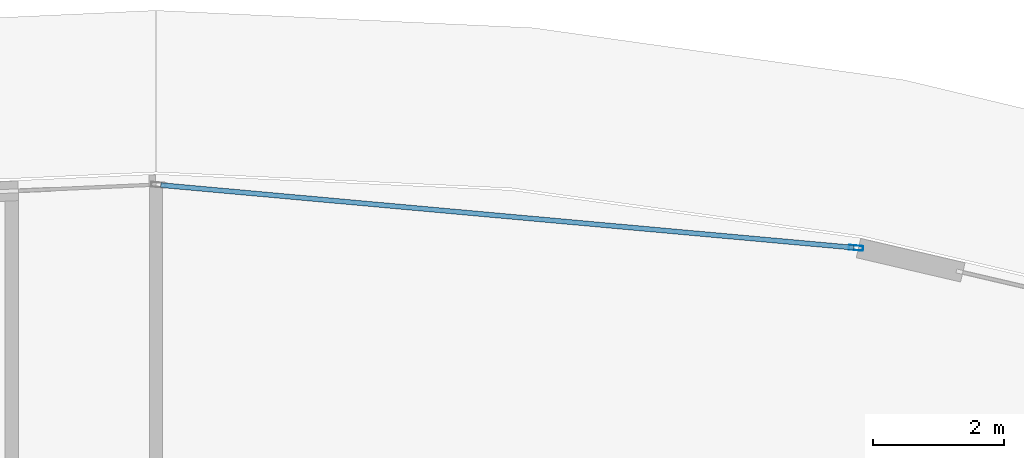
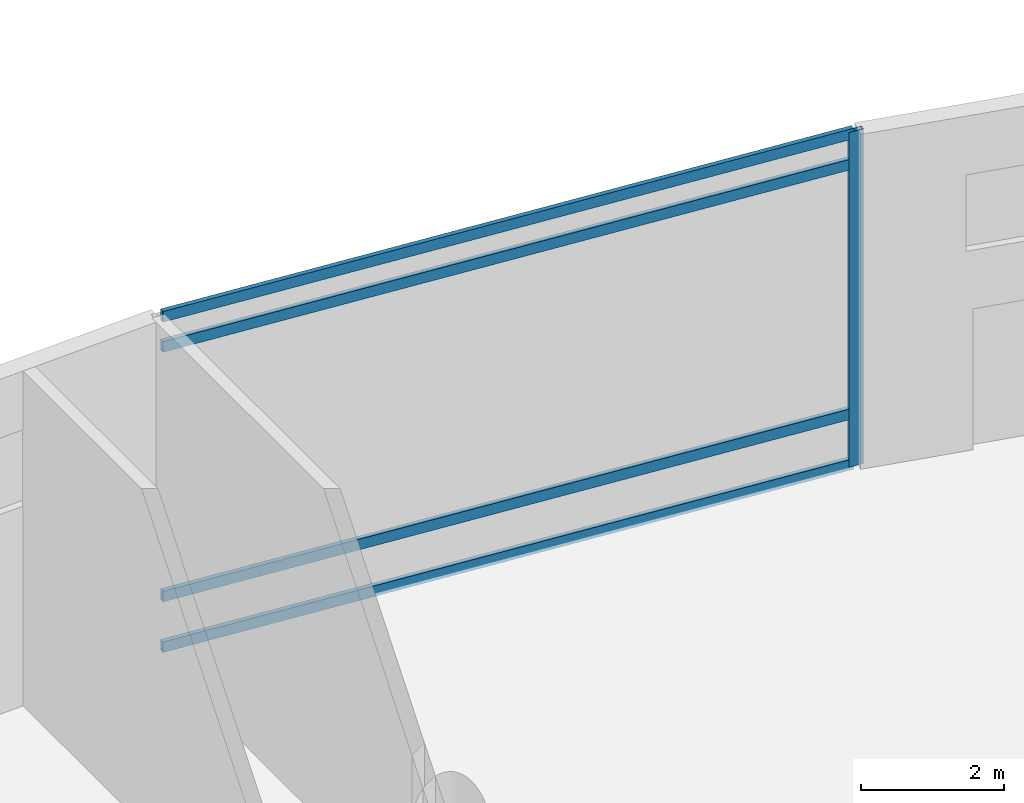
# One storey, part 21 of 40: 5 members, 1 element without a shape of its own.
"""IFC4 building model written with IfcOpenShell, lengths in metres."""

from ifc_helpers import new_model, si_unit, direction, frame, origin, origin_2d, place, context, subcontext, project, spatial, hollow_rectangle, extrude, material, layer, layer_set, material_profile, profile_set, type_object, element, aggregate, save


model = new_model("IFC4")

# Units and contexts
model_context = context("Model", 3, precision=1e-05, world=origin(), true_north=direction((0.0, 1.0)))
body_context = subcontext(model_context, "Body", "Model", "MODEL_VIEW")
ifc_project = project(units=[si_unit("LENGTHUNIT", "METRE"), si_unit("AREAUNIT", "SQUARE_METRE"), si_unit("VOLUMEUNIT", "CUBIC_METRE"), si_unit("PLANEANGLEUNIT", "RADIAN"), si_unit("MASSUNIT", "GRAM", prefix="KILO")], contexts=[model_context])

# Site, building, storey
site_placement = place(None, origin())
site = spatial("IfcSite", under=ifc_project, at=site_placement, CompositionType="ELEMENT")
building_placement = place(site_placement, origin())
building = spatial("IfcBuilding", under=site, at=building_placement, Name="Nuhasar Tower", CompositionType="ELEMENT")
storey_placement = place(building_placement, origin())
storey = spatial("IfcBuildingStorey", under=building, at=storey_placement, Name="L00", CompositionType="ELEMENT", Elevation=0.0)

# Curtain wall, members
ifc_material = material(Name="Aluminium 6063-T6", Category="aluminium")
ifc_layer = layer(ifc_material, 0.219970703125)
ifc_layer_set = layer_set([ifc_layer], Name="Aluminium 6063-T6")
curtain_wall_type = type_object("IfcCurtainWallType", Name="CW-PODIUM", PredefinedType="NOTDEFINED", material=ifc_layer_set)
curtain_wall_placement = place(storey_placement, origin())
curtain_wall = element("IfcCurtainWall", 1, at=curtain_wall_placement, inside=storey, type_object=curtain_wall_type, Name="L00 Podium Curtain Wall Bay 06", PredefinedType="NOTDEFINED")
ifc_material_profile_1 = material_profile(ifc_material, hollow_rectangle(XDim=0.074951171875, YDim=0.219970703125, WallThickness=0.0048828125, at=origin_2d()), Name="CWM-1")
ifc_profile_set_1 = profile_set([ifc_material_profile_1], Name="Aluminium 6063-T6")
member_type_1 = type_object("IfcMemberType", Name="CW-MUL-S1", PredefinedType="MULLION", material=ifc_profile_set_1)
member_1_placement = place(storey_placement, frame((49.687744140625, 54.2744140625, 0.0), z_axis=(0.0, 0.0, 1.0), x_axis=(-0.089983128015, -0.995943289888, 0.0)))
member_1 = element("IfcMember", 2, at=member_1_placement, type_object=member_type_1, Name="CW-P1 mullion 1", PredefinedType="MULLION", context=body_context, shape_type="SweptSolid", body=[
    extrude(hollow_rectangle(XDim=0.074951171875, YDim=0.219970703125, WallThickness=0.0048828125, at=origin_2d()), origin(), (0.0, 0.0, 1.0), 5.699951171875),
])
ifc_material_profile_2 = material_profile(ifc_material, hollow_rectangle(XDim=0.074951171875, YDim=0.179931640625, WallThickness=0.00439453125, at=origin_2d()), Name="CWT-1")
ifc_profile_set_2 = profile_set([ifc_material_profile_2], Name="Aluminium 6063-T6")
member_type_2 = type_object("IfcMemberType", Name="CW-TRN-S1", PredefinedType="USERDEFINED", material=ifc_profile_set_2)
member_2_placement = place(storey_placement, frame((49.650390625, 54.27783203125, 0.03759765625), z_axis=(-0.995944868359, 0.089965655614, 0.0), x_axis=(-0.089965655614, -0.995944868359, 0.0)))
member_2 = element("IfcMember", 3, at=member_2_placement, type_object=member_type_2, Name="CW-P1 transom 1.1", ObjectType="TRANSOM", PredefinedType="USERDEFINED", context=body_context, shape_type="SweptSolid", body=[
    extrude(hollow_rectangle(XDim=0.074951171875, YDim=0.179931640625, WallThickness=0.00439453125, at=origin_2d()), origin(), (0.0, 0.0, 1.0), 10.61865234375),
])
member_3_placement = place(storey_placement, frame((49.650390625, 54.27783203125, 0.89990234375), z_axis=(-0.995944868359, 0.089965655614, 0.0), x_axis=(-0.089965655614, -0.995944868359, 0.0)))
member_3 = element("IfcMember", 4, at=member_3_placement, type_object=member_type_2, Name="CW-P1 transom 1.2", ObjectType="TRANSOM", PredefinedType="USERDEFINED", context=body_context, shape_type="SweptSolid", body=[
    extrude(hollow_rectangle(XDim=0.074951171875, YDim=0.179931640625, WallThickness=0.00439453125, at=origin_2d()), origin(), (0.0, 0.0, 1.0), 10.61865234375),
])
member_4_placement = place(storey_placement, frame((49.650390625, 54.27783203125, 5.14990234375), z_axis=(-0.995944868359, 0.089965655614, 0.0), x_axis=(-0.089965655614, -0.995944868359, 0.0)))
member_4 = element("IfcMember", 5, at=member_4_placement, type_object=member_type_2, Name="CW-P1 transom 1.3", ObjectType="TRANSOM", PredefinedType="USERDEFINED", context=body_context, shape_type="SweptSolid", body=[
    extrude(hollow_rectangle(XDim=0.074951171875, YDim=0.179931640625, WallThickness=0.00439453125, at=origin_2d()), origin(), (0.0, 0.0, 1.0), 10.61865234375),
])
member_5_placement = place(storey_placement, frame((49.650390625, 54.27783203125, 5.66259765625), z_axis=(-0.995944868359, 0.089965655614, 0.0), x_axis=(-0.089965655614, -0.995944868359, 0.0)))
member_5 = element("IfcMember", 6, at=member_5_placement, type_object=member_type_2, Name="CW-P1 transom 1.4", ObjectType="TRANSOM", PredefinedType="USERDEFINED", context=body_context, shape_type="SweptSolid", body=[
    extrude(hollow_rectangle(XDim=0.074951171875, YDim=0.179931640625, WallThickness=0.00439453125, at=origin_2d()), origin(), (0.0, 0.0, 1.0), 10.61865234375),
])
aggregate(curtain_wall, [member_1, member_2, member_3, member_4, member_5])

save(model, "model.ifc")
